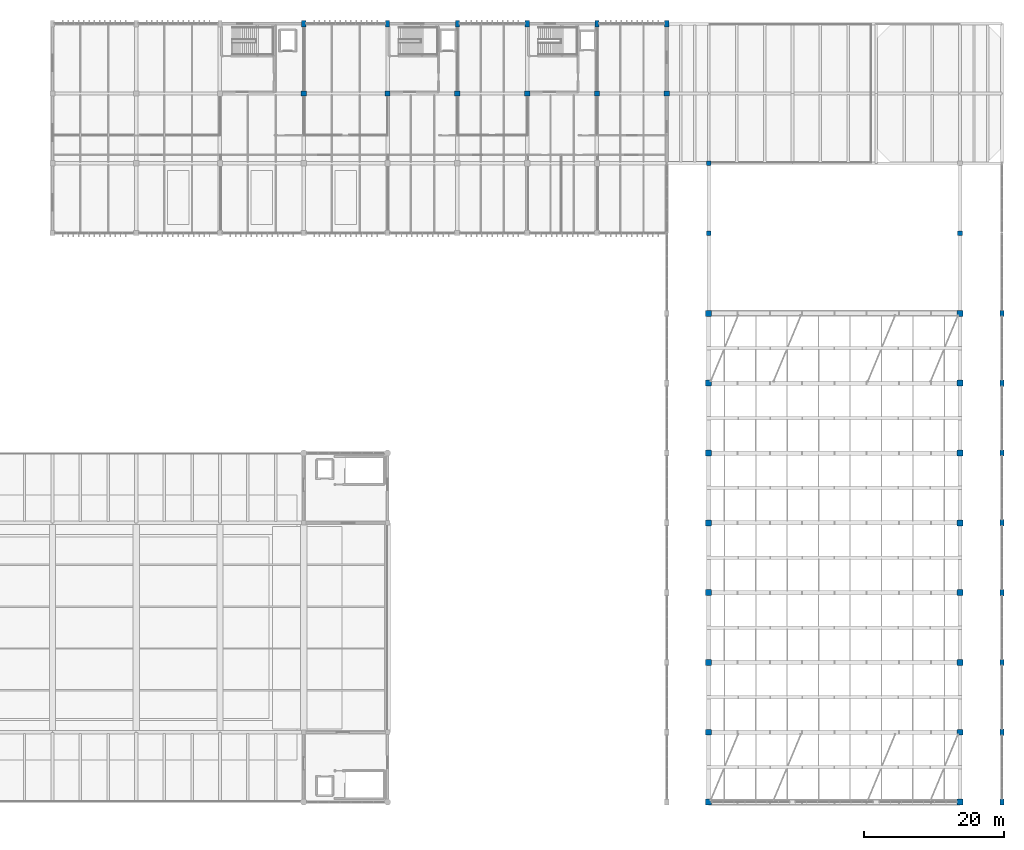
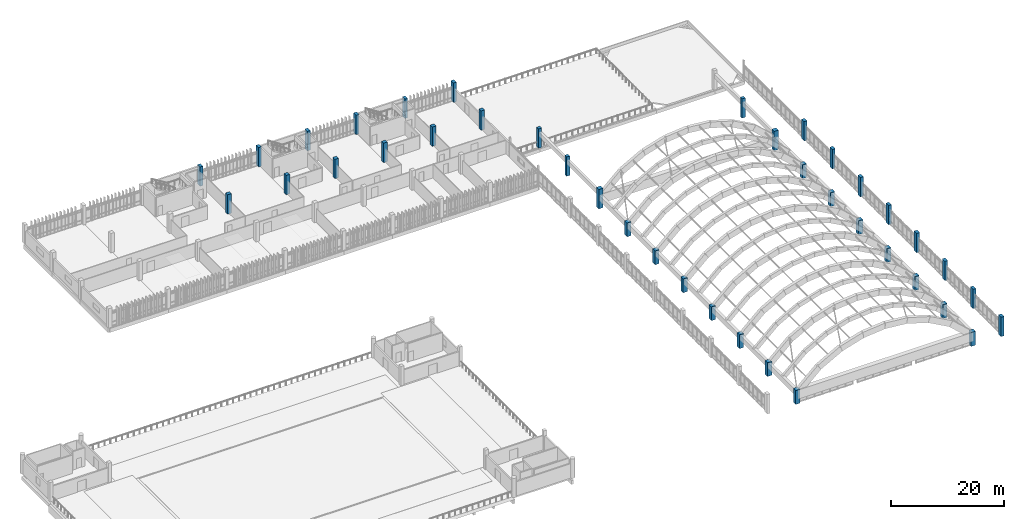
# One storey, part 3 of 111: 39 columns.
"""IFC4 building model written with IfcOpenShell, lengths in metres."""

import ifcopenshell
import ifcopenshell.guid

model = None  # the IFC model being written
_history = None  # IfcOwnerHistory: only IFC2X3 demands one
_inside = {}  # id of a spatial element -> (the spatial element, [elements in it])
_under = {}  # id of a project, library or spatial element -> (it, [spatial elements below it])
_declared = {}  # id of a project -> (the project, [libraries it declares])
_typed = {}  # id of a type object -> (the type object, [elements of that type])
_made_of = {}  # id of a material, layer set ... -> (it, [elements and type objects made of it])


def new_model(schema):
    """Start an empty IFC model of exactly this schema.

    Asked for "IFC4X3", IfcOpenShell would pick the latest addendum, in which some entities
    have other attributes; the version numbers below select the first issue.
    IFC2X3 requires an IfcOwnerHistory on every rooted entity: one is made here for all.
    """
    global model, _history
    if schema == "IFC4X3":
        model = ifcopenshell.file(schema_version=(4, 3, 0, 0))
    else:
        model = ifcopenshell.file(schema=schema)
    _inside.clear()
    _under.clear()
    _declared.clear()
    _typed.clear()
    _made_of.clear()
    _history = None
    if model.schema == "IFC2X3":
        org = make("IfcOrganization", Name="unknown")
        user = make(
            "IfcPersonAndOrganization",
            ThePerson=make("IfcPerson", FamilyName="unknown"),
            TheOrganization=org,
        )
        app = make(
            "IfcApplication",
            ApplicationDeveloper=org,
            Version="unknown",
            ApplicationFullName="unknown",
            ApplicationIdentifier="unknown",
        )
        _history = make(
            "IfcOwnerHistory",
            OwningUser=user,
            OwningApplication=app,
            ChangeAction="ADDED",
            CreationDate=0,
        )
    return model


def make(cls, **values):
    """One entity of the class cls with the attributes given. An attribute that is None is left unset."""
    return model.create_entity(
        cls, **{name: value for name, value in values.items() if value is not None}
    )


def rooted(cls, **values):
    """An entity with a GlobalId (a new one), such as an element, a storey or a relation."""
    return make(cls, GlobalId=ifcopenshell.guid.new(), OwnerHistory=_history, **values)


def si_unit(unit_type, name, prefix=None):
    """IfcSIUnit, for example si_unit("LENGTHUNIT", "METRE", prefix="MILLI")."""
    return make("IfcSIUnit", UnitType=unit_type, Prefix=prefix, Name=name)


def assignment(units):
    """IfcUnitAssignment: the units of a project."""
    return None if units is None else make("IfcUnitAssignment", Units=units)


def point(xyz):
    """IfcCartesianPoint."""
    return None if xyz is None else make("IfcCartesianPoint", Coordinates=xyz)


def direction(xyz):
    """IfcDirection."""
    return None if xyz is None else make("IfcDirection", DirectionRatios=xyz)


def frame(location, z_axis=None, x_axis=None):
    """IfcAxis2Placement3D, a coordinate frame: its origin and axes. An axis left out is left unset."""
    return make(
        "IfcAxis2Placement3D",
        Location=point(location),
        Axis=direction(z_axis),
        RefDirection=direction(x_axis),
    )


def frame_2d(location, x_axis=None):
    """IfcAxis2Placement2D, a coordinate frame in the plane: its origin and x axis."""
    return make(
        "IfcAxis2Placement2D", Location=point(location), RefDirection=direction(x_axis)
    )


def origin():
    """The frame at (0, 0, 0) with its axes left unset."""
    return frame((0.0, 0.0, 0.0))


def origin_2d():
    """The frame at (0, 0) in the plane with its x axis left unset."""
    return frame_2d((0.0, 0.0))


def place(relative_to, where):
    """IfcLocalPlacement: puts the frame where relative to a parent placement (None: the world)."""
    return make(
        "IfcLocalPlacement", PlacementRelTo=relative_to, RelativePlacement=where
    )


def context(
    kind, dimensions, precision=None, world=None, true_north=None, identifier=None
):
    """IfcGeometricRepresentationContext, for example the 3D "Model" context."""
    return make(
        "IfcGeometricRepresentationContext",
        ContextIdentifier=identifier,
        ContextType=kind,
        CoordinateSpaceDimension=dimensions,
        Precision=precision,
        WorldCoordinateSystem=world,
        TrueNorth=true_north,
    )


def subcontext(parent, identifier, kind, view, scale=None):
    """IfcGeometricRepresentationSubContext, for example "Body" below "Model"."""
    return make(
        "IfcGeometricRepresentationSubContext",
        ContextIdentifier=identifier,
        ContextType=kind,
        ParentContext=parent,
        TargetScale=scale,
        TargetView=view,
    )


def project(units=None, contexts=None):
    """IfcProject with its units and contexts."""
    return rooted(
        "IfcProject",
        Name="project",
        RepresentationContexts=contexts,
        UnitsInContext=assignment(units),
    )


def spatial(cls, under=None, at=None, **own):
    """A site, building, storey or space (cls), placed at a placement, below another one or the project."""
    s = rooted(cls, ObjectPlacement=at, **own)
    if under is not None:
        _under.setdefault(under.id(), (under, []))[1].append(s)
    return s


def profile(cls, at=None, kind="AREA", **sizes):
    """A parametric profile (cls). Its sizes go by their IFC names, for example OverallWidth=200.0."""
    return make(cls, ProfileType=kind, Position=at, **sizes)


def rectangle(**sizes):
    """IfcRectangleProfileDef."""
    return profile("IfcRectangleProfileDef", **sizes)


def extrude(swept, where, along, depth):
    """IfcExtrudedAreaSolid: the profile swept, set in the frame where, extruded along a direction by depth."""
    return make(
        "IfcExtrudedAreaSolid",
        SweptArea=swept,
        Position=where,
        ExtrudedDirection=direction(along),
        Depth=depth,
    )


def shape(context_of_items, identifier, shape_type, items):
    """IfcShapeRepresentation: the items that make up one representation, for example the "Body"."""
    return make(
        "IfcShapeRepresentation",
        ContextOfItems=context_of_items,
        RepresentationIdentifier=identifier,
        RepresentationType=shape_type,
        Items=items,
    )


def material(Name=None, Category=None):
    """IfcMaterial."""
    return make("IfcMaterial", Name=Name, Category=Category)


def material_profile(
    of_material, cross_section, Name=None, Category=None, Priority=None
):
    """IfcMaterialProfile: a cross section and its material."""
    return make(
        "IfcMaterialProfile",
        Name=Name,
        Material=of_material,
        Profile=cross_section,
        Priority=Priority,
        Category=Category,
    )


def profile_set(profiles, Name=None, composite=None):
    """IfcMaterialProfileSet."""
    return make(
        "IfcMaterialProfileSet",
        Name=Name,
        MaterialProfiles=profiles,
        CompositeProfile=composite,
    )


def made_of(thing, what):
    """Note that an element or type object is made of a material, layer set ...; save() writes the relation."""
    if what is not None:
        _made_of.setdefault(what.id(), (what, []))[1].append(thing)
    return thing


def type_object(cls, material=None, **own):
    """A type object (cls), such as IfcWallType, which elements share."""
    return made_of(rooted(cls, **own), material)


def element(
    cls,
    number,
    at=None,
    inside=None,
    cuts=None,
    type_object=None,
    material=None,
    context=None,
    identifier="Body",
    shape_type=None,
    held_by="IfcProductDefinitionShape",
    body=None,
    shapes=None,
    **own,
):
    """One element of the class cls, such as IfcWall. Its Tag is "e" and its number.

    at: its placement. inside: the storey or other place that contains it. cuts: it is an
    opening in that element (IfcRelVoidsElement). A single representation is given by context,
    identifier, shape_type and body (its items); several are given by shapes. held_by: the class
    of the entity that holds the representations. save() writes the other relations.
    """
    e = rooted(cls, Tag="e%d" % number, ObjectPlacement=at, **own)
    if body is not None:
        shapes = [shape(context, identifier, shape_type, body)]
    if shapes is not None:
        e.Representation = make(held_by, Representations=shapes)
    if inside is not None:
        _inside.setdefault(inside.id(), (inside, []))[1].append(e)
    if cuts is not None:
        rooted(
            "IfcRelVoidsElement", RelatingBuildingElement=cuts, RelatedOpeningElement=e
        )
    if type_object is not None:
        _typed.setdefault(type_object.id(), (type_object, []))[1].append(e)
    return made_of(e, material)


def aggregate(whole, parts):
    """IfcRelAggregates: a whole, such as a stair, and the parts it consists of."""
    return rooted("IfcRelAggregates", RelatingObject=whole, RelatedObjects=parts)


def save(model, path):
    """Write the relations noted so far, then the file.

    IfcRelAggregates (storeys below a building ...), IfcRelContainedInSpatialStructure (elements
    in a storey), IfcRelDefinesByType, IfcRelAssociatesMaterial and IfcRelDeclares: one each for
    every whole, place, type object, material and project.
    """
    for whole, parts in _under.values():
        aggregate(whole, parts)
    for where, things in _inside.values():
        rooted(
            "IfcRelContainedInSpatialStructure",
            RelatedElements=things,
            RelatingStructure=where,
        )
    for kind, things in _typed.values():
        rooted("IfcRelDefinesByType", RelatedObjects=things, RelatingType=kind)
    for what, things in _made_of.values():
        rooted("IfcRelAssociatesMaterial", RelatedObjects=things, RelatingMaterial=what)
    for by, libraries in _declared.values():
        rooted("IfcRelDeclares", RelatingContext=by, RelatedDefinitions=libraries)
    model.write(path)


model = new_model("IFC4")

# Units and contexts
model_context = context("Model", 3, precision=1e-05, world=origin(), true_north=direction((0.0, 1.0)))
body_context = subcontext(model_context, "Body", "Model", "MODEL_VIEW")
ifc_project = project(units=[si_unit("LENGTHUNIT", "METRE"), si_unit("AREAUNIT", "SQUARE_METRE"), si_unit("VOLUMEUNIT", "CUBIC_METRE"), si_unit("PLANEANGLEUNIT", "RADIAN"), si_unit("MASSUNIT", "GRAM", prefix="KILO")], contexts=[model_context])

# Site, building, storey
site_placement = place(None, origin())
site = spatial("IfcSite", under=ifc_project, at=site_placement, CompositionType="ELEMENT")
building_placement = place(site_placement, origin())
building = spatial("IfcBuilding", under=site, at=building_placement, Name="Mersad Railyard Sports Hall", CompositionType="ELEMENT")
storey_placement = place(building_placement, frame((0.0, 0.0, 9.0)))
storey = spatial("IfcBuildingStorey", under=building, at=storey_placement, Name="L02", CompositionType="ELEMENT", Elevation=9.0)

# Columns
ifc_material_1 = material(Name="Concrete C50/60", Category="concrete")
ifc_material_profile_1 = material_profile(ifc_material_1, rectangle(XDim=0.85009765625, YDim=0.85009765625, at=origin_2d()), Name="RC 850x850")
ifc_profile_set_1 = profile_set([ifc_material_profile_1], Name="Concrete C50/60")
column_type_1 = type_object("IfcColumnType", Name="STR-COL-C02", PredefinedType="COLUMN", material=ifc_profile_set_1)
for number, where, z_axis, x_axis, name in (
    (1, (137.0, 3.5, 0.0), (0.0, 0.0, 1.0), (1.0, 0.0, 0.0), "Column C02 L02 (137.0,3.5)"),
    (2, (137.0, 13.5, 0.0), (0.0, 0.0, 1.0), (1.0, 0.0, 0.0), "Column C02 L02 (137.0,13.5)"),
    (3, (137.0, 23.5, 0.0), (0.0, 0.0, 1.0), (1.0, 0.0, 0.0), "Column C02 L02 (137.0,23.5)"),
    (4, (137.0, 33.5, 0.0), (0.0, 0.0, 1.0), (1.0, 0.0, 0.0), "Column C02 L02 (137.0,33.5)"),
    (5, (137.0, 43.5, 0.0), (0.0, 0.0, 1.0), (1.0, 0.0, 0.0), "Column C02 L02 (137.0,43.5)"),
    (6, (137.0, 53.5, 0.0), (0.0, 0.0, 1.0), (1.0, 0.0, 0.0), "Column C02 L02 (137.0,53.5)"),
    (7, (137.0, 63.5, 0.0), (0.0, 0.0, 1.0), (1.0, 0.0, 0.0), "Column C02 L02 (137.0,63.5)"),
):
    element("IfcColumn", number, at=place(storey_placement, frame(where, z_axis=z_axis, x_axis=x_axis)), inside=storey, type_object=column_type_1, Name=name, PredefinedType="COLUMN", context=body_context, shape_type="SweptSolid", body=[
        extrude(rectangle(XDim=0.85009765625, YDim=0.85009765625, at=origin_2d()), origin(), (0.0, 0.0, 1.0), 3.0),
    ])
column_1_placement = place(storey_placement, frame((137.0, 73.5, 0.0), z_axis=(0.0, 0.0, 1.0), x_axis=(1.0, 0.0, 0.0)))
element("IfcColumn", 8, at=column_1_placement, inside=storey, type_object=column_type_1, Name="Column C02 L02 (137.0,73.5)", PredefinedType="COLUMN", context=body_context, shape_type="SweptSolid", body=[
    extrude(rectangle(XDim=0.85009765625, YDim=0.85009765625, at=origin_2d()), origin(), (0.0, 0.0, 1.0), 4.199951171875),
])
for number, where, z_axis, x_axis, name in (
    (9, (173.0, 3.5, 0.0), (0.0, 0.0, 1.0), (1.0, 0.0, 0.0), "Column C02 L02 (173.0,3.5)"),
    (10, (173.0, 13.5, 0.0), (0.0, 0.0, 1.0), (1.0, 0.0, 0.0), "Column C02 L02 (173.0,13.5)"),
    (11, (173.0, 23.5, 0.0), (0.0, 0.0, 1.0), (1.0, 0.0, 0.0), "Column C02 L02 (173.0,23.5)"),
    (12, (173.0, 33.5, 0.0), (0.0, 0.0, 1.0), (1.0, 0.0, 0.0), "Column C02 L02 (173.0,33.5)"),
    (13, (173.0, 43.5, 0.0), (0.0, 0.0, 1.0), (1.0, 0.0, 0.0), "Column C02 L02 (173.0,43.5)"),
    (14, (173.0, 53.5, 0.0), (0.0, 0.0, 1.0), (1.0, 0.0, 0.0), "Column C02 L02 (173.0,53.5)"),
    (15, (173.0, 63.5, 0.0), (0.0, 0.0, 1.0), (1.0, 0.0, 0.0), "Column C02 L02 (173.0,63.5)"),
):
    element("IfcColumn", number, at=place(storey_placement, frame(where, z_axis=z_axis, x_axis=x_axis)), inside=storey, type_object=column_type_1, Name=name, PredefinedType="COLUMN", context=body_context, shape_type="SweptSolid", body=[
        extrude(rectangle(XDim=0.85009765625, YDim=0.85009765625, at=origin_2d()), origin(), (0.0, 0.0, 1.0), 3.0),
    ])
column_2_placement = place(storey_placement, frame((173.0, 73.5, 0.0), z_axis=(0.0, 0.0, 1.0), x_axis=(1.0, 0.0, 0.0)))
element("IfcColumn", 16, at=column_2_placement, inside=storey, type_object=column_type_1, Name="Column C02 L02 (173.0,73.5)", PredefinedType="COLUMN", context=body_context, shape_type="SweptSolid", body=[
    extrude(rectangle(XDim=0.85009765625, YDim=0.85009765625, at=origin_2d()), origin(), (0.0, 0.0, 1.0), 4.199951171875),
])
ifc_material_profile_2 = material_profile(ifc_material_1, rectangle(XDim=0.75, YDim=0.75, at=origin_2d()), Name="RC 750x750")
ifc_profile_set_2 = profile_set([ifc_material_profile_2], Name="Concrete C50/60")
column_type_2 = type_object("IfcColumnType", Name="STR-COL-C03", PredefinedType="COLUMN", material=ifc_profile_set_2)
for number, where, z_axis, x_axis, name in (
    (17, (79.0, 105.0, 0.0), (0.0, 0.0, 1.0), (1.0, 0.0, 0.0), "Column C03 L02 (79.0,105.0)"),
    (18, (91.0, 105.0, 0.0), (0.0, 0.0, 1.0), (1.0, 0.0, 0.0), "Column C03 L02 (91.0,105.0)"),
    (19, (101.0, 105.0, 0.0), (0.0, 0.0, 1.0), (1.0, 0.0, 0.0), "Column C03 L02 (101.0,105.0)"),
    (20, (111.0, 105.0, 0.0), (0.0, 0.0, 1.0), (1.0, 0.0, 0.0), "Column C03 L02 (111.0,105.0)"),
    (21, (121.0, 105.0, 0.0), (0.0, 0.0, 1.0), (1.0, 0.0, 0.0), "Column C03 L02 (121.0,105.0)"),
    (22, (131.0, 105.0, 0.0), (0.0, 0.0, 1.0), (1.0, 0.0, 0.0), "Column C03 L02 (131.0,105.0)"),
):
    element("IfcColumn", number, at=place(storey_placement, frame(where, z_axis=z_axis, x_axis=x_axis)), inside=storey, type_object=column_type_2, Name=name, PredefinedType="COLUMN", context=body_context, shape_type="SweptSolid", body=[
        extrude(rectangle(XDim=0.75, YDim=0.75, at=origin_2d()), origin(), (0.0, 0.0, 1.0), 4.199951171875),
    ])
ifc_material_2 = material(Name="Concrete C40/50", Category="concrete")
ifc_material_profile_3 = material_profile(ifc_material_2, rectangle(XDim=0.64990234375, YDim=0.64990234375, at=origin_2d()), Name="RC 650x650")
ifc_profile_set_3 = profile_set([ifc_material_profile_3], Name="Concrete C40/50")
column_type_3 = type_object("IfcColumnType", Name="STR-COL-C04", PredefinedType="COLUMN", material=ifc_profile_set_3)
for number, where, z_axis, x_axis, name in (
    (23, (137.0, 85.0, 0.0), (0.0, 0.0, 1.0), (1.0, 0.0, 0.0), "Column C04 L02 (137.0,85.0)"),
    (24, (137.0, 95.0, 0.0), (0.0, 0.0, 1.0), (1.0, 0.0, 0.0), "Column C04 L02 (137.0,95.0)"),
    (25, (173.0, 85.0, 0.0), (0.0, 0.0, 1.0), (1.0, 0.0, 0.0), "Column C04 L02 (173.0,85.0)"),
):
    element("IfcColumn", number, at=place(storey_placement, frame(where, z_axis=z_axis, x_axis=x_axis)), inside=storey, type_object=column_type_3, Name=name, PredefinedType="COLUMN", context=body_context, shape_type="SweptSolid", body=[
        extrude(rectangle(XDim=0.64990234375, YDim=0.64990234375, at=origin_2d()), origin(), (0.0, 0.0, 1.0), 4.199951171875),
    ])
ifc_material_profile_4 = material_profile(ifc_material_1, rectangle(XDim=0.60009765625, YDim=0.89990234375, at=origin_2d()), Name="RC 600x900")
ifc_profile_set_4 = profile_set([ifc_material_profile_4], Name="Concrete C50/60")
column_type_4 = type_object("IfcColumnType", Name="STR-COL-C07", PredefinedType="COLUMN", material=ifc_profile_set_4)
for number, where, z_axis, x_axis, name in (
    (26, (179.0, 3.5, 0.0), (0.0, 0.0, 1.0), (1.0, 0.0, 0.0), "Column C07 L02 (179.0,3.5)"),
    (27, (179.0, 13.5, 0.0), (0.0, 0.0, 1.0), (1.0, 0.0, 0.0), "Column C07 L02 (179.0,13.5)"),
    (28, (179.0, 23.5, 0.0), (0.0, 0.0, 1.0), (1.0, 0.0, 0.0), "Column C07 L02 (179.0,23.5)"),
    (29, (179.0, 33.5, 0.0), (0.0, 0.0, 1.0), (1.0, 0.0, 0.0), "Column C07 L02 (179.0,33.5)"),
    (30, (179.0, 43.5, 0.0), (0.0, 0.0, 1.0), (1.0, 0.0, 0.0), "Column C07 L02 (179.0,43.5)"),
    (31, (179.0, 53.5, 0.0), (0.0, 0.0, 1.0), (1.0, 0.0, 0.0), "Column C07 L02 (179.0,53.5)"),
    (32, (179.0, 63.5, 0.0), (0.0, 0.0, 1.0), (1.0, 0.0, 0.0), "Column C07 L02 (179.0,63.5)"),
    (33, (179.0, 73.5, 0.0), (0.0, 0.0, 1.0), (1.0, 0.0, 0.0), "Column C07 L02 (179.0,73.5)"),
    (34, (79.0, 115.0, 0.0), (0.0, 0.0, 1.0), (1.0, 0.0, 0.0), "Column C07 L02 (79.0,115.0)"),
    (35, (91.0, 115.0, 0.0), (0.0, 0.0, 1.0), (1.0, 0.0, 0.0), "Column C07 L02 (91.0,115.0)"),
    (36, (101.0, 115.0, 0.0), (0.0, 0.0, 1.0), (1.0, 0.0, 0.0), "Column C07 L02 (101.0,115.0)"),
    (37, (111.0, 115.0, 0.0), (0.0, 0.0, 1.0), (1.0, 0.0, 0.0), "Column C07 L02 (111.0,115.0)"),
    (38, (121.0, 115.0, 0.0), (0.0, 0.0, 1.0), (1.0, 0.0, 0.0), "Column C07 L02 (121.0,115.0)"),
    (39, (131.0, 115.0, 0.0), (0.0, 0.0, 1.0), (1.0, 0.0, 0.0), "Column C07 L02 (131.0,115.0)"),
):
    element("IfcColumn", number, at=place(storey_placement, frame(where, z_axis=z_axis, x_axis=x_axis)), inside=storey, type_object=column_type_4, Name=name, PredefinedType="COLUMN", context=body_context, shape_type="SweptSolid", body=[
        extrude(rectangle(XDim=0.60009765625, YDim=0.89990234375, at=origin_2d()), origin(), (0.0, 0.0, 1.0), 4.199951171875),
    ])

save(model, "model.ifc")
